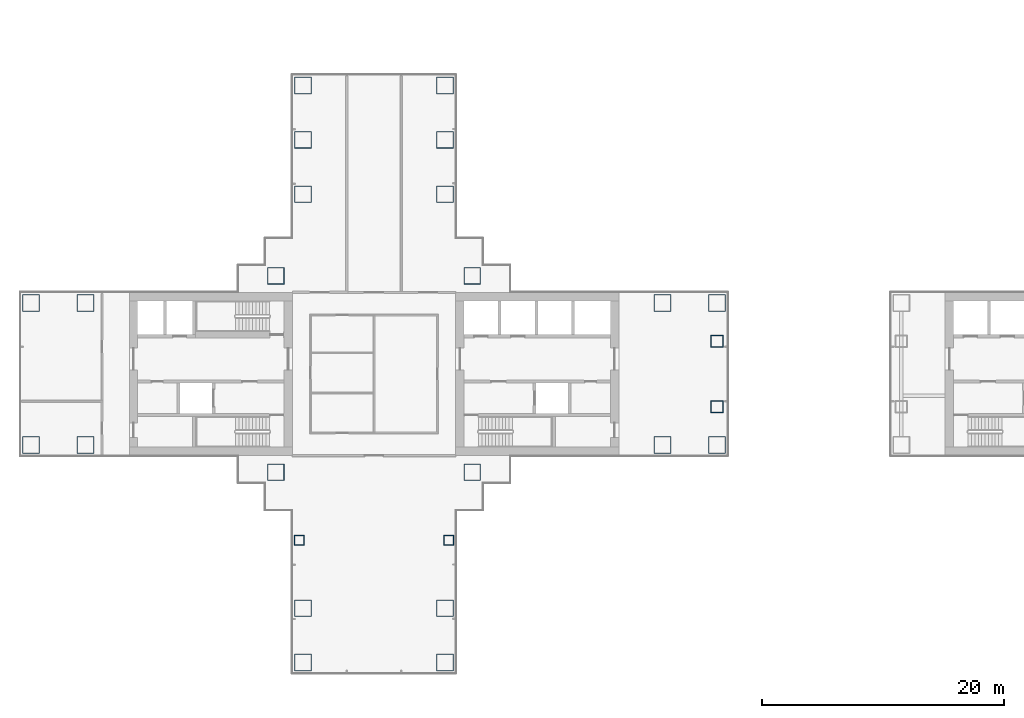
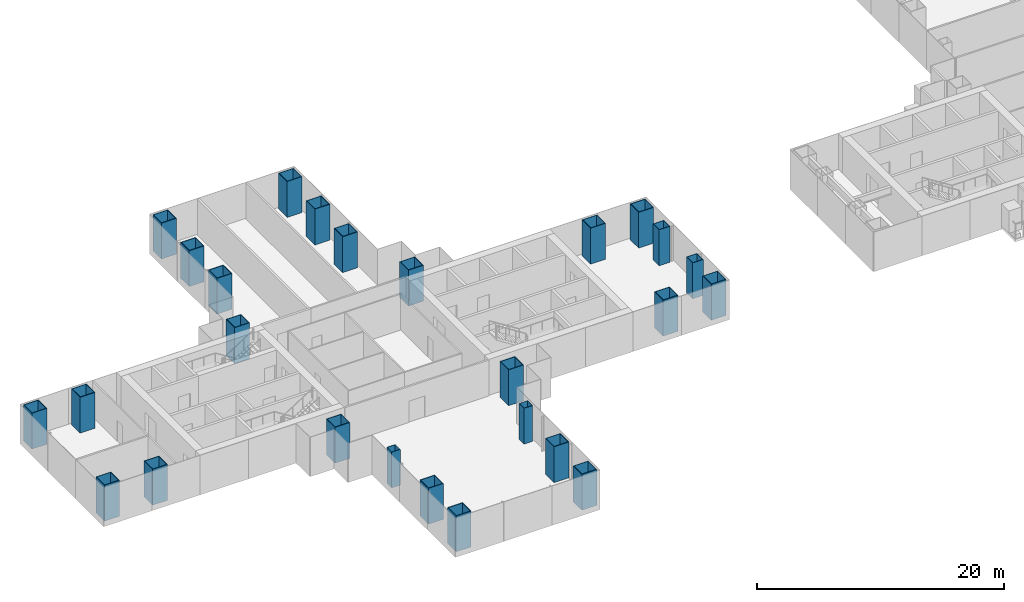
# One storey, part 1 of 21: 26 columns.
"""IFC4 building model written with IfcOpenShell, lengths in metres."""

from ifc_helpers import new_model, si_unit, direction, frame, origin, origin_2d, place, context, subcontext, project, spatial, hollow_rectangle, extrude, material, material_profile, profile_set, type_object, element, save


model = new_model("IFC4")

# Units and contexts
model_context = context("Model", 3, precision=1e-05, world=origin(), true_north=direction((0.0, 1.0)))
body_context = subcontext(model_context, "Body", "Model", "MODEL_VIEW")
ifc_project = project(units=[si_unit("LENGTHUNIT", "METRE"), si_unit("AREAUNIT", "SQUARE_METRE"), si_unit("VOLUMEUNIT", "CUBIC_METRE"), si_unit("PLANEANGLEUNIT", "RADIAN"), si_unit("MASSUNIT", "GRAM", prefix="KILO")], contexts=[model_context])

# Site, building, storey
site_placement = place(None, origin())
site = spatial("IfcSite", under=ifc_project, at=site_placement, CompositionType="ELEMENT")
building_placement = place(site_placement, origin())
building = spatial("IfcBuilding", under=site, at=building_placement, Name="Shamsa Quay Exchange Towers", CompositionType="ELEMENT")
storey_placement = place(building_placement, frame((0.0, 0.0, 49.800048828125)))
storey = spatial("IfcBuildingStorey", under=building, at=storey_placement, Name="L10", CompositionType="ELEMENT", Elevation=49.800048828125)

# Columns
ifc_material_1 = material(Name="Concrete-filled steel tube S355 / C80/95", Category="concrete")
ifc_material_profile_1 = material_profile(ifc_material_1, hollow_rectangle(XDim=1.39990234375, YDim=1.39990234375, WallThickness=0.050048828125, at=origin_2d()), Name="CFT 1400x1400x50")
ifc_profile_set_1 = profile_set([ifc_material_profile_1], Name="Concrete-filled steel tube S355 / C80/95")
column_type_1 = type_object("IfcColumnType", Name="Column CFT 1400x1400x50", PredefinedType="COLUMN", material=ifc_profile_set_1)
for number, where, name in (
    (1, (-25.625, 8.125, 0.0), "Mega column T1-CM01"),
    (2, (-25.625, -8.125, 0.0), "Mega column T1-CM02"),
    (3, (-41.875, 8.125, 0.0), "Mega column T1-CM03"),
    (4, (-41.875, -8.125, 0.0), "Mega column T1-CM04"),
    (5, (-9.875, -5.875, 0.0), "Mega column T1-CM05"),
    (6, (-5.375, -5.875, 0.0), "Mega column T1-CM06"),
    (7, (-9.875, 5.875, 0.0), "Mega column T1-CM07"),
    (8, (-5.375, 5.875, 0.0), "Mega column T1-CM08"),
    (9, (-57.625, -5.875, 0.0), "Mega column T1-CM09"),
    (10, (-62.125, -5.875, 0.0), "Mega column T1-CM10"),
    (11, (-57.625, 5.875, 0.0), "Mega column T1-CM11"),
    (12, (-62.125, 5.875, 0.0), "Mega column T1-CM12"),
    (13, (-39.625, 14.875, 0.0), "Mega column T1-CM13"),
    (14, (-39.625, 19.375, 0.0), "Mega column T1-CM14"),
    (15, (-39.625, 23.875, 0.0), "Mega column T1-CM15"),
    (16, (-27.875, 14.875, 0.0), "Mega column T1-CM16"),
    (17, (-27.875, 19.375, 0.0), "Mega column T1-CM17"),
    (18, (-27.875, 23.875, 0.0), "Mega column T1-CM18"),
    (19, (-39.625, -19.375, 0.0), "Mega column T1-CM20"),
    (20, (-39.625, -23.875, 0.0), "Mega column T1-CM21"),
    (21, (-27.875, -19.375, 0.0), "Mega column T1-CM23"),
    (22, (-27.875, -23.875, 0.0), "Mega column T1-CM24"),
):
    element("IfcColumn", number, at=place(storey_placement, frame(where)), inside=storey, type_object=column_type_1, Name=name, PredefinedType="COLUMN", context=body_context, shape_type="SweptSolid", body=[
        extrude(hollow_rectangle(XDim=1.39990234375, YDim=1.39990234375, WallThickness=0.050048828125, at=origin_2d()), origin(), (0.0, 0.0, 1.0), 3.550048828125),
    ])
ifc_material_2 = material(Name="Concrete-filled steel tube S355 / C60/75", Category="concrete")
ifc_material_profile_2 = material_profile(ifc_material_2, hollow_rectangle(XDim=0.800048828125, YDim=0.800048828125, WallThickness=0.02490234375, at=origin_2d()), Name="CFT 800x800x25")
ifc_profile_set_2 = profile_set([ifc_material_profile_2], Name="Concrete-filled steel tube S355 / C60/75")
column_type_2 = type_object("IfcColumnType", Name="Column CFT 800x800x25", PredefinedType="COLUMN", material=ifc_profile_set_2)
for number, where, name in (
    (23, (-39.9375, -13.75, 0.0), "Perimeter column T1-CP19"),
    (24, (-27.5625, -13.75, 0.0), "Perimeter column T1-CP22"),
):
    element("IfcColumn", number, at=place(storey_placement, frame(where)), inside=storey, type_object=column_type_2, Name=name, PredefinedType="COLUMN", context=body_context, shape_type="SweptSolid", body=[
        extrude(hollow_rectangle(XDim=0.800048828125, YDim=0.800048828125, WallThickness=0.02490234375, at=origin_2d()), origin(), (0.0, 0.0, 1.0), 3.550048828125),
    ])
ifc_material_3 = material(Name="Concrete-filled steel tube S355 / C70/85", Category="concrete")
ifc_material_profile_3 = material_profile(ifc_material_3, hollow_rectangle(XDim=1.0, YDim=1.0, WallThickness=0.0400390625, at=origin_2d()), Name="CFT 1000x1000x40")
ifc_profile_set_3 = profile_set([ifc_material_profile_3], Name="Concrete-filled steel tube S355 / C70/85")
column_type_3 = type_object("IfcColumnType", Name="Landing column CFT 1000x1000x40", PredefinedType="COLUMN", material=ifc_profile_set_3)
for number, where, name in (
    (25, (-5.375, -2.699951171875, 0.0), "Landing column T1 S"),
    (26, (-5.375, 2.699951171875, 0.0), "Landing column T1 N"),
):
    element("IfcColumn", number, at=place(storey_placement, frame(where)), inside=storey, type_object=column_type_3, Name=name, PredefinedType="COLUMN", context=body_context, shape_type="SweptSolid", body=[
        extrude(hollow_rectangle(XDim=1.0, YDim=1.0, WallThickness=0.0400390625, at=origin_2d()), origin(), (0.0, 0.0, 1.0), 3.550048828125),
    ])

save(model, "model.ifc")
